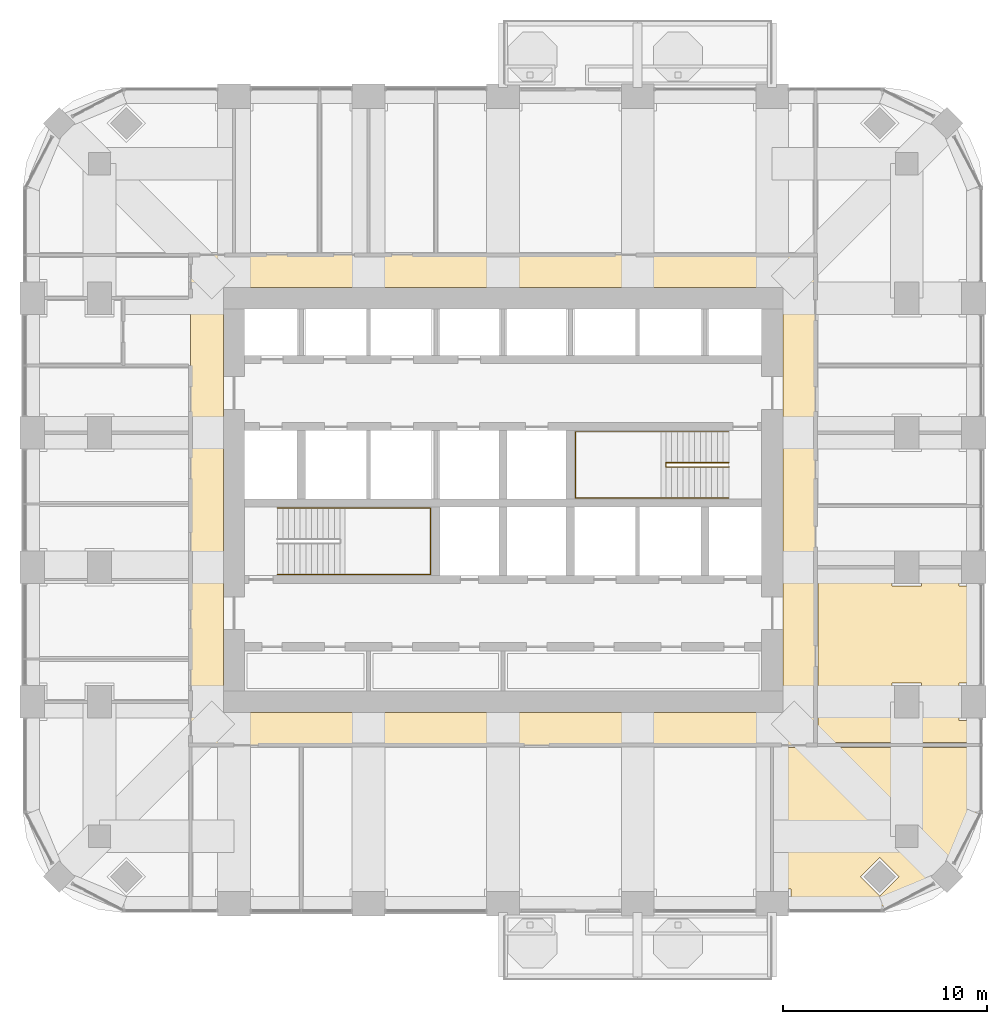
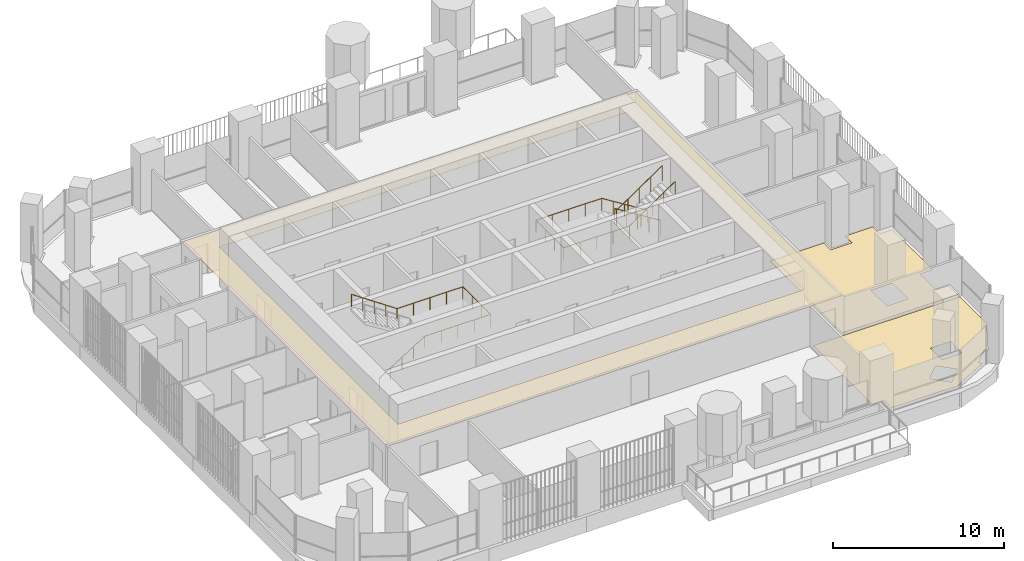
# One storey, part 17 of 19: 3 coverings, 3 railings.
"""IFC4 building model written with IfcOpenShell, lengths in metres."""

from ifc_helpers import new_model, si_unit, direction, frame, origin, place, context, subcontext, project, spatial, polyline, outline, extrude, material, layer, layer_set, type_object, element, save


model = new_model("IFC4")

# Units and contexts
model_context = context("Model", 3, precision=1e-05, world=origin(), true_north=direction((0.0, 1.0)))
body_context = subcontext(model_context, "Body", "Model", "MODEL_VIEW")
ifc_project = project(units=[si_unit("LENGTHUNIT", "METRE"), si_unit("AREAUNIT", "SQUARE_METRE"), si_unit("VOLUMEUNIT", "CUBIC_METRE"), si_unit("PLANEANGLEUNIT", "RADIAN"), si_unit("MASSUNIT", "GRAM", prefix="KILO")], contexts=[model_context])

# Site, building, storey
site_placement = place(None, origin())
site = spatial("IfcSite", under=ifc_project, at=site_placement, CompositionType="ELEMENT")
building_placement = place(site_placement, origin())
building = spatial("IfcBuilding", under=site, at=building_placement, Name="Cobogo Forest Laboratory Tower", CompositionType="ELEMENT")
storey_placement = place(building_placement, frame((0.0, 0.0, 206.10009765625)))
storey = spatial("IfcBuildingStorey", under=building, at=storey_placement, Name="L47", CompositionType="ELEMENT", Elevation=206.10009765625)

# Coverings
ifc_material_1 = material(Name="Mineral fibre ceiling tile", Category="ceiling")
ifc_layer_1 = layer(ifc_material_1, 0.02001953125)
ifc_layer_set_1 = layer_set([ifc_layer_1], Name="CL1 suspended ceiling")
covering_type_1 = type_object("IfcCoveringType", Name="CL1 suspended ceiling", PredefinedType="CEILING", material=ifc_layer_set_1)
covering_1_placement = place(storey_placement, frame((0.0, 0.0, 2.7998046875)))
element("IfcCovering", 1, at=covering_1_placement, inside=storey, type_object=covering_type_1, Name="Corridor ceiling L47", PredefinedType="CEILING", context=body_context, shape_type="SweptSolid", body=[
    extrude(outline(polyline([(11.074951171875, 11.074951171875), (11.074951171875, 35.125), (41.72509765625, 35.125), (41.72509765625, 11.074951171875), (11.074951171875, 11.074951171875)]), holes=[polyline([(40.125, 33.52490234375), (12.675048828125, 33.52490234375), (12.675048828125, 12.675048828125), (40.125, 12.675048828125), (40.125, 33.52490234375)])]), origin(), (0.0, 0.0, 1.0), 0.02001953125),
])
ifc_material_2 = material(Name="Carpet tile on raised access floor", Category="flooring")
ifc_layer_2 = layer(ifc_material_2, 0.008056640625)
ifc_layer_set_2 = layer_set([ifc_layer_2], Name="CT1 carpet tile floor 8")
covering_type_2 = type_object("IfcCoveringType", Name="CT1 carpet tile floor 8", PredefinedType="FLOORING", material=ifc_layer_set_2)
covering_2_placement = place(storey_placement, origin())
element("IfcCovering", 2, at=covering_2_placement, inside=storey, type_object=covering_type_2, Name="Carpet floor L47-04", PredefinedType="FLOORING", context=body_context, shape_type="SweptSolid", body=[
    extrude(outline(polyline([(41.844970703125, 19.679931640625), (45.47998046875, 19.679931640625), (45.47998046875, 18.8798828125), (46.919921875, 18.8798828125), (46.919921875, 19.679931640625), (48.780029296875, 19.679931640625), (48.780029296875, 18.8798828125), (49.64990234375, 18.8798828125), (49.64990234375, 14.1201171875), (48.780029296875, 14.1201171875), (48.780029296875, 12.280029296875), (49.64990234375, 12.280029296875), (49.64990234375, 11.195068359375), (41.844970703125, 11.195068359375), (41.844970703125, 19.679931640625)]), holes=[polyline([(46.919921875, 12.280029296875), (46.919921875, 14.1201171875), (45.47998046875, 14.1201171875), (45.47998046875, 12.280029296875), (46.919921875, 12.280029296875)])]), origin(), (0.0, 0.0, 1.0), 0.0078125),
])

# Railings
ifc_material_3 = material(Name="Steel balustrade", Category="steel")
railing_type_1 = type_object("IfcRailingType", Name="GR stair guard 1100", PredefinedType="GUARDRAIL", material=ifc_material_3)
railing_1_placement = place(storey_placement, frame((37.47509765625, 24.929931640625, 0.1748046875)))
element("IfcRailing", 3, at=railing_1_placement, inside=storey, type_object=railing_type_1, Name="Stair guard ST2 L47", PredefinedType="GUARDRAIL", context=body_context, shape_type="SweptSolid", body=[
    extrude(outline(polyline([(0.022216796875, 0.00927734375), (0.00927734375, 0.022216796875), (-0.00927734375, 0.022216796875), (-0.022216796875, 0.00927734375), (-0.022216796875, -0.00927734375), (-0.00927734375, -0.022216796875), (0.00927734375, -0.022216796875), (0.022216796875, -0.00927734375), (0.022216796875, 0.00927734375)])), frame((0.0, 0.0, 1.077880859375), z_axis=(-0.847998304005, 0.0, 0.529998940003), x_axis=(0.0, -1.0, 0.0)), (0.0, 0.0, 1.0), 3.632080078125),
    extrude(outline(polyline([(0.022216796875, 0.00927734375), (0.00927734375, 0.022216796875), (-0.00927734375, 0.022216796875), (-0.022216796875, 0.00927734375), (-0.022216796875, -0.00927734375), (-0.00927734375, -0.022216796875), (0.00927734375, -0.022216796875), (0.022216796875, -0.00927734375), (0.022216796875, 0.00927734375)])), frame((-3.080078125, 0.0, 3.0029296875), z_axis=(0.0, -1.0, 0.0), x_axis=(1.0, 0.0, 0.0)), (0.0, 0.0, 1.0), 0.2099609375),
    extrude(outline(polyline([(0.022216796875, 0.00927734375), (0.00927734375, 0.022216796875), (-0.00927734375, 0.022216796875), (-0.022216796875, 0.00927734375), (-0.022216796875, -0.00927734375), (-0.00927734375, -0.022216796875), (0.00927734375, -0.022216796875), (0.022216796875, -0.00927734375), (0.022216796875, 0.00927734375)])), frame((-3.080078125, -0.2099609375, 3.0029296875), z_axis=(0.826221800596, 0.0, 0.563344953133), x_axis=(0.0, 1.0, 0.0)), (0.0, 0.0, 1.0), 3.72802734375),
    extrude(outline(polyline([(0.019287109375, 0.008056640625), (0.008056640625, 0.019287109375), (-0.008056640625, 0.019287109375), (-0.019287109375, 0.008056640625), (-0.019287109375, -0.008056640625), (-0.008056640625, -0.019287109375), (0.008056640625, -0.019287109375), (0.019287109375, -0.008056640625), (0.019287109375, 0.008056640625)])), origin(), (0.0, 0.0, 1.0), 1.077880859375),
    extrude(outline(polyline([(0.019287109375, 0.008056640625), (0.008056640625, 0.019287109375), (-0.008056640625, 0.019287109375), (-0.019287109375, 0.008056640625), (-0.019287109375, -0.008056640625), (-0.008056640625, -0.019287109375), (0.008056640625, -0.019287109375), (0.019287109375, -0.008056640625), (0.019287109375, 0.008056640625)])), frame((-0.77001953125, 0.0, 0.481201171875)), (0.0, 0.0, 1.0), 1.077880859375),
    extrude(outline(polyline([(0.019287109375, 0.008056640625), (0.008056640625, 0.019287109375), (-0.008056640625, 0.019287109375), (-0.019287109375, 0.008056640625), (-0.019287109375, -0.008056640625), (-0.008056640625, -0.019287109375), (0.008056640625, -0.019287109375), (0.019287109375, -0.008056640625), (0.019287109375, 0.008056640625)])), frame((-1.5400390625, 0.0, 0.96240234375)), (0.0, 0.0, 1.0), 1.077880859375),
    extrude(outline(polyline([(0.019287109375, 0.008056640625), (0.008056640625, 0.019287109375), (-0.008056640625, 0.019287109375), (-0.019287109375, 0.008056640625), (-0.019287109375, -0.008056640625), (-0.008056640625, -0.019287109375), (0.008056640625, -0.019287109375), (0.019287109375, -0.008056640625), (0.019287109375, 0.008056640625)])), frame((-2.31005859375, 0.0, 1.44384765625)), (0.0, 0.0, 1.0), 1.077880859375),
    extrude(outline(polyline([(0.019287109375, 0.008056640625), (0.008056640625, 0.019287109375), (-0.008056640625, 0.019287109375), (-0.019287109375, 0.008056640625), (-0.019287109375, -0.008056640625), (-0.008056640625, -0.019287109375), (0.008056640625, -0.019287109375), (0.019287109375, -0.008056640625), (0.019287109375, 0.008056640625)])), frame((-3.080078125, 0.0, 1.925048828125)), (0.0, 0.0, 1.0), 1.077880859375),
    extrude(outline(polyline([(0.019287109375, 0.008056640625), (0.008056640625, 0.019287109375), (-0.008056640625, 0.019287109375), (-0.019287109375, 0.008056640625), (-0.019287109375, -0.008056640625), (-0.008056640625, -0.019287109375), (0.008056640625, -0.019287109375), (0.019287109375, -0.008056640625), (0.019287109375, 0.008056640625)])), frame((-3.080078125, -0.2099609375, 1.925048828125)), (0.0, 0.0, 1.0), 1.077880859375),
    extrude(outline(polyline([(0.019287109375, 0.008056640625), (0.008056640625, 0.019287109375), (-0.008056640625, 0.019287109375), (-0.019287109375, 0.008056640625), (-0.019287109375, -0.008056640625), (-0.008056640625, -0.019287109375), (0.008056640625, -0.019287109375), (0.019287109375, -0.008056640625), (0.019287109375, 0.008056640625)])), frame((-2.31005859375, -0.2099609375, 2.4501953125)), (0.0, 0.0, 1.0), 1.077880859375),
    extrude(outline(polyline([(0.019287109375, 0.008056640625), (0.008056640625, 0.019287109375), (-0.008056640625, 0.019287109375), (-0.019287109375, 0.008056640625), (-0.019287109375, -0.008056640625), (-0.008056640625, -0.019287109375), (0.008056640625, -0.019287109375), (0.019287109375, -0.008056640625), (0.019287109375, 0.008056640625)])), frame((-1.5400390625, -0.2099609375, 2.97509765625)), (0.0, 0.0, 1.0), 1.077880859375),
    extrude(outline(polyline([(0.019287109375, 0.008056640625), (0.008056640625, 0.019287109375), (-0.008056640625, 0.019287109375), (-0.019287109375, 0.008056640625), (-0.019287109375, -0.008056640625), (-0.008056640625, -0.019287109375), (0.008056640625, -0.019287109375), (0.019287109375, -0.008056640625), (0.019287109375, 0.008056640625)])), frame((-0.77001953125, -0.2099609375, 3.5)), (0.0, 0.0, 1.0), 1.077880859375),
    extrude(outline(polyline([(0.019287109375, 0.008056640625), (0.008056640625, 0.019287109375), (-0.008056640625, 0.019287109375), (-0.019287109375, 0.008056640625), (-0.019287109375, -0.008056640625), (-0.008056640625, -0.019287109375), (0.008056640625, -0.019287109375), (0.019287109375, -0.008056640625), (0.019287109375, 0.008056640625)])), frame((0.0, -0.2099609375, 4.025146484375)), (0.0, 0.0, 1.0), 1.077880859375),
])
ifc_material_4 = material(Name="Stainless steel handrail", Category="steel")
railing_type_2 = type_object("IfcRailingType", Name="HR handrail 900", PredefinedType="HANDRAIL", material=ifc_material_4)
railing_2_placement = place(storey_placement, frame((15.324951171875, 19.449951171875, 0.1748046875)))
element("IfcRailing", 4, at=railing_2_placement, inside=storey, type_object=railing_type_2, Name="Stair handrail ST1 L47", PredefinedType="HANDRAIL", context=body_context, shape_type="SweptSolid", body=[
    extrude(outline(polyline([(0.022216796875, 0.00927734375), (0.00927734375, 0.022216796875), (-0.00927734375, 0.022216796875), (-0.022216796875, 0.00927734375), (-0.022216796875, -0.00927734375), (-0.00927734375, -0.022216796875), (0.00927734375, -0.022216796875), (0.022216796875, -0.00927734375), (0.022216796875, 0.00927734375)])), frame((0.0, 0.0, 0.877685546875), z_axis=(0.847998304005, 0.0, 0.529998940003), x_axis=(0.0, 1.0, 0.0)), (0.0, 0.0, 1.0), 3.632080078125),
    extrude(outline(polyline([(0.022216796875, 0.00927734375), (0.00927734375, 0.022216796875), (-0.00927734375, 0.022216796875), (-0.022216796875, 0.00927734375), (-0.022216796875, -0.00927734375), (-0.00927734375, -0.022216796875), (0.00927734375, -0.022216796875), (0.022216796875, -0.00927734375), (0.022216796875, 0.00927734375)])), frame((3.080078125, 0.0, 2.802734375), z_axis=(1.0, 0.0, 0.0), x_axis=(0.0, 1.0, 0.0)), (0.0, 0.0, 1.0), 4.445068359375),
    extrude(outline(polyline([(0.022216796875, 0.00927734375), (0.00927734375, 0.022216796875), (-0.00927734375, 0.022216796875), (-0.022216796875, 0.00927734375), (-0.022216796875, -0.00927734375), (-0.00927734375, -0.022216796875), (0.00927734375, -0.022216796875), (0.022216796875, -0.00927734375), (0.022216796875, 0.00927734375)])), frame((7.525146484375, 0.0, 2.802734375), z_axis=(0.0, 1.0, 0.0), x_axis=(-1.0, 0.0, 0.0)), (0.0, 0.0, 1.0), 3.25),
    extrude(outline(polyline([(0.022216796875, 0.00927734375), (0.00927734375, 0.022216796875), (-0.00927734375, 0.022216796875), (-0.022216796875, 0.00927734375), (-0.022216796875, -0.00927734375), (-0.00927734375, -0.022216796875), (0.00927734375, -0.022216796875), (0.022216796875, -0.00927734375), (0.022216796875, 0.00927734375)])), frame((7.525146484375, 3.25, 2.802734375), z_axis=(-1.0, 0.0, 0.0), x_axis=(0.0, -1.0, 0.0)), (0.0, 0.0, 1.0), 4.445068359375),
    extrude(outline(polyline([(0.022216796875, 0.00927734375), (0.00927734375, 0.022216796875), (-0.00927734375, 0.022216796875), (-0.022216796875, 0.00927734375), (-0.022216796875, -0.00927734375), (-0.00927734375, -0.022216796875), (0.00927734375, -0.022216796875), (0.022216796875, -0.00927734375), (0.022216796875, 0.00927734375)])), frame((3.080078125, 3.25, 2.802734375), z_axis=(-0.826221800596, 0.0, 0.563344953133), x_axis=(0.0, -1.0, 0.0)), (0.0, 0.0, 1.0), 3.72802734375),
    extrude(outline(polyline([(0.019287109375, 0.008056640625), (0.008056640625, 0.019287109375), (-0.008056640625, 0.019287109375), (-0.019287109375, 0.008056640625), (-0.019287109375, -0.008056640625), (-0.008056640625, -0.019287109375), (0.008056640625, -0.019287109375), (0.019287109375, -0.008056640625), (0.019287109375, 0.008056640625)])), origin(), (0.0, 0.0, 1.0), 0.877685546875),
    extrude(outline(polyline([(0.019287109375, 0.008056640625), (0.008056640625, 0.019287109375), (-0.008056640625, 0.019287109375), (-0.019287109375, 0.008056640625), (-0.019287109375, -0.008056640625), (-0.008056640625, -0.019287109375), (0.008056640625, -0.019287109375), (0.019287109375, -0.008056640625), (0.019287109375, 0.008056640625)])), frame((0.77001953125, 0.0, 0.481201171875)), (0.0, 0.0, 1.0), 0.877685546875),
    extrude(outline(polyline([(0.019287109375, 0.008056640625), (0.008056640625, 0.019287109375), (-0.008056640625, 0.019287109375), (-0.019287109375, 0.008056640625), (-0.019287109375, -0.008056640625), (-0.008056640625, -0.019287109375), (0.008056640625, -0.019287109375), (0.019287109375, -0.008056640625), (0.019287109375, 0.008056640625)])), frame((1.5400390625, 0.0, 0.96240234375)), (0.0, 0.0, 1.0), 0.877685546875),
    extrude(outline(polyline([(0.019287109375, 0.008056640625), (0.008056640625, 0.019287109375), (-0.008056640625, 0.019287109375), (-0.019287109375, 0.008056640625), (-0.019287109375, -0.008056640625), (-0.008056640625, -0.019287109375), (0.008056640625, -0.019287109375), (0.019287109375, -0.008056640625), (0.019287109375, 0.008056640625)])), frame((2.31005859375, 0.0, 1.44384765625)), (0.0, 0.0, 1.0), 0.877685546875),
    extrude(outline(polyline([(0.019287109375, 0.008056640625), (0.008056640625, 0.019287109375), (-0.008056640625, 0.019287109375), (-0.019287109375, 0.008056640625), (-0.019287109375, -0.008056640625), (-0.008056640625, -0.019287109375), (0.008056640625, -0.019287109375), (0.019287109375, -0.008056640625), (0.019287109375, 0.008056640625)])), frame((3.080078125, 0.0, 1.925048828125)), (0.0, 0.0, 1.0), 0.877685546875),
    extrude(outline(polyline([(0.019287109375, 0.008056640625), (0.008056640625, 0.019287109375), (-0.008056640625, 0.019287109375), (-0.019287109375, 0.008056640625), (-0.019287109375, -0.008056640625), (-0.008056640625, -0.019287109375), (0.008056640625, -0.019287109375), (0.019287109375, -0.008056640625), (0.019287109375, 0.008056640625)])), frame((4.19140625, 0.0, 1.925048828125)), (0.0, 0.0, 1.0), 0.877685546875),
    extrude(outline(polyline([(0.019287109375, 0.008056640625), (0.008056640625, 0.019287109375), (-0.008056640625, 0.019287109375), (-0.019287109375, 0.008056640625), (-0.019287109375, -0.008056640625), (-0.008056640625, -0.019287109375), (0.008056640625, -0.019287109375), (0.019287109375, -0.008056640625), (0.019287109375, 0.008056640625)])), frame((5.302734375, 0.0, 1.925048828125)), (0.0, 0.0, 1.0), 0.877685546875),
    extrude(outline(polyline([(0.019287109375, 0.008056640625), (0.008056640625, 0.019287109375), (-0.008056640625, 0.019287109375), (-0.019287109375, 0.008056640625), (-0.019287109375, -0.008056640625), (-0.008056640625, -0.019287109375), (0.008056640625, -0.019287109375), (0.019287109375, -0.008056640625), (0.019287109375, 0.008056640625)])), frame((6.413818359375, 0.0, 1.925048828125)), (0.0, 0.0, 1.0), 0.877685546875),
    extrude(outline(polyline([(0.019287109375, 0.008056640625), (0.008056640625, 0.019287109375), (-0.008056640625, 0.019287109375), (-0.019287109375, 0.008056640625), (-0.019287109375, -0.008056640625), (-0.008056640625, -0.019287109375), (0.008056640625, -0.019287109375), (0.019287109375, -0.008056640625), (0.019287109375, 0.008056640625)])), frame((7.525146484375, 0.0, 1.925048828125)), (0.0, 0.0, 1.0), 0.877685546875),
    extrude(outline(polyline([(0.019287109375, 0.008056640625), (0.008056640625, 0.019287109375), (-0.008056640625, 0.019287109375), (-0.019287109375, 0.008056640625), (-0.019287109375, -0.008056640625), (-0.008056640625, -0.019287109375), (0.008056640625, -0.019287109375), (0.019287109375, -0.008056640625), (0.019287109375, 0.008056640625)])), frame((7.525146484375, 1.083251953125, 1.925048828125)), (0.0, 0.0, 1.0), 0.877685546875),
    extrude(outline(polyline([(0.019287109375, 0.008056640625), (0.008056640625, 0.019287109375), (-0.008056640625, 0.019287109375), (-0.019287109375, 0.008056640625), (-0.019287109375, -0.008056640625), (-0.008056640625, -0.019287109375), (0.008056640625, -0.019287109375), (0.019287109375, -0.008056640625), (0.019287109375, 0.008056640625)])), frame((7.525146484375, 2.166748046875, 1.925048828125)), (0.0, 0.0, 1.0), 0.877685546875),
    extrude(outline(polyline([(0.019287109375, 0.008056640625), (0.008056640625, 0.019287109375), (-0.008056640625, 0.019287109375), (-0.019287109375, 0.008056640625), (-0.019287109375, -0.008056640625), (-0.008056640625, -0.019287109375), (0.008056640625, -0.019287109375), (0.019287109375, -0.008056640625), (0.019287109375, 0.008056640625)])), frame((7.525146484375, 3.25, 1.925048828125)), (0.0, 0.0, 1.0), 0.877685546875),
    extrude(outline(polyline([(0.019287109375, 0.008056640625), (0.008056640625, 0.019287109375), (-0.008056640625, 0.019287109375), (-0.019287109375, 0.008056640625), (-0.019287109375, -0.008056640625), (-0.008056640625, -0.019287109375), (0.008056640625, -0.019287109375), (0.019287109375, -0.008056640625), (0.019287109375, 0.008056640625)])), frame((6.413818359375, 3.25, 1.925048828125)), (0.0, 0.0, 1.0), 0.877685546875),
    extrude(outline(polyline([(0.019287109375, 0.008056640625), (0.008056640625, 0.019287109375), (-0.008056640625, 0.019287109375), (-0.019287109375, 0.008056640625), (-0.019287109375, -0.008056640625), (-0.008056640625, -0.019287109375), (0.008056640625, -0.019287109375), (0.019287109375, -0.008056640625), (0.019287109375, 0.008056640625)])), frame((5.302734375, 3.25, 1.925048828125)), (0.0, 0.0, 1.0), 0.877685546875),
    extrude(outline(polyline([(0.019287109375, 0.008056640625), (0.008056640625, 0.019287109375), (-0.008056640625, 0.019287109375), (-0.019287109375, 0.008056640625), (-0.019287109375, -0.008056640625), (-0.008056640625, -0.019287109375), (0.008056640625, -0.019287109375), (0.019287109375, -0.008056640625), (0.019287109375, 0.008056640625)])), frame((4.19140625, 3.25, 1.925048828125)), (0.0, 0.0, 1.0), 0.877685546875),
    extrude(outline(polyline([(0.019287109375, 0.008056640625), (0.008056640625, 0.019287109375), (-0.008056640625, 0.019287109375), (-0.019287109375, 0.008056640625), (-0.019287109375, -0.008056640625), (-0.008056640625, -0.019287109375), (0.008056640625, -0.019287109375), (0.019287109375, -0.008056640625), (0.019287109375, 0.008056640625)])), frame((3.080078125, 3.25, 1.925048828125)), (0.0, 0.0, 1.0), 0.877685546875),
    extrude(outline(polyline([(0.019287109375, 0.008056640625), (0.008056640625, 0.019287109375), (-0.008056640625, 0.019287109375), (-0.019287109375, 0.008056640625), (-0.019287109375, -0.008056640625), (-0.008056640625, -0.019287109375), (0.008056640625, -0.019287109375), (0.019287109375, -0.008056640625), (0.019287109375, 0.008056640625)])), frame((2.31005859375, 3.25, 2.4501953125)), (0.0, 0.0, 1.0), 0.877685546875),
    extrude(outline(polyline([(0.019287109375, 0.008056640625), (0.008056640625, 0.019287109375), (-0.008056640625, 0.019287109375), (-0.019287109375, 0.008056640625), (-0.019287109375, -0.008056640625), (-0.008056640625, -0.019287109375), (0.008056640625, -0.019287109375), (0.019287109375, -0.008056640625), (0.019287109375, 0.008056640625)])), frame((1.5400390625, 3.25, 2.97509765625)), (0.0, 0.0, 1.0), 0.877685546875),
    extrude(outline(polyline([(0.019287109375, 0.008056640625), (0.008056640625, 0.019287109375), (-0.008056640625, 0.019287109375), (-0.019287109375, 0.008056640625), (-0.019287109375, -0.008056640625), (-0.008056640625, -0.019287109375), (0.008056640625, -0.019287109375), (0.019287109375, -0.008056640625), (0.019287109375, 0.008056640625)])), frame((0.77001953125, 3.25, 3.5)), (0.0, 0.0, 1.0), 0.877685546875),
    extrude(outline(polyline([(0.019287109375, 0.008056640625), (0.008056640625, 0.019287109375), (-0.008056640625, 0.019287109375), (-0.019287109375, 0.008056640625), (-0.019287109375, -0.008056640625), (-0.008056640625, -0.019287109375), (0.008056640625, -0.019287109375), (0.019287109375, -0.008056640625), (0.019287109375, 0.008056640625)])), frame((0.0, 3.25, 4.025146484375)), (0.0, 0.0, 1.0), 0.877685546875),
])
railing_3_placement = place(storey_placement, frame((37.47509765625, 26.449951171875, 0.1748046875)))
element("IfcRailing", 5, at=railing_3_placement, inside=storey, type_object=railing_type_2, Name="Stair handrail ST2 L47", PredefinedType="HANDRAIL", context=body_context, shape_type="SweptSolid", body=[
    extrude(outline(polyline([(0.022216796875, 0.00927734375), (0.00927734375, 0.022216796875), (-0.00927734375, 0.022216796875), (-0.022216796875, 0.00927734375), (-0.022216796875, -0.00927734375), (-0.00927734375, -0.022216796875), (0.00927734375, -0.022216796875), (0.022216796875, -0.00927734375), (0.022216796875, 0.00927734375)])), frame((0.0, 0.0, 0.877685546875), z_axis=(-0.847998304005, 0.0, 0.529998940003), x_axis=(0.0, -1.0, 0.0)), (0.0, 0.0, 1.0), 3.632080078125),
    extrude(outline(polyline([(0.022216796875, 0.00927734375), (0.00927734375, 0.022216796875), (-0.00927734375, 0.022216796875), (-0.022216796875, 0.00927734375), (-0.022216796875, -0.00927734375), (-0.00927734375, -0.022216796875), (0.00927734375, -0.022216796875), (0.022216796875, -0.00927734375), (0.022216796875, 0.00927734375)])), frame((-3.080078125, 0.0, 2.802734375), z_axis=(-1.0, 0.0, 0.0), x_axis=(0.0, -1.0, 0.0)), (0.0, 0.0, 1.0), 4.445068359375),
    extrude(outline(polyline([(0.022216796875, 0.00927734375), (0.00927734375, 0.022216796875), (-0.00927734375, 0.022216796875), (-0.022216796875, 0.00927734375), (-0.022216796875, -0.00927734375), (-0.00927734375, -0.022216796875), (0.00927734375, -0.022216796875), (0.022216796875, -0.00927734375), (0.022216796875, 0.00927734375)])), frame((-7.525146484375, 0.0, 2.802734375), z_axis=(0.0, -1.0, 0.0), x_axis=(1.0, 0.0, 0.0)), (0.0, 0.0, 1.0), 3.25),
    extrude(outline(polyline([(0.022216796875, 0.00927734375), (0.00927734375, 0.022216796875), (-0.00927734375, 0.022216796875), (-0.022216796875, 0.00927734375), (-0.022216796875, -0.00927734375), (-0.00927734375, -0.022216796875), (0.00927734375, -0.022216796875), (0.022216796875, -0.00927734375), (0.022216796875, 0.00927734375)])), frame((-7.525146484375, -3.25, 2.802734375), z_axis=(1.0, 0.0, 0.0), x_axis=(0.0, 1.0, 0.0)), (0.0, 0.0, 1.0), 4.445068359375),
    extrude(outline(polyline([(0.022216796875, 0.00927734375), (0.00927734375, 0.022216796875), (-0.00927734375, 0.022216796875), (-0.022216796875, 0.00927734375), (-0.022216796875, -0.00927734375), (-0.00927734375, -0.022216796875), (0.00927734375, -0.022216796875), (0.022216796875, -0.00927734375), (0.022216796875, 0.00927734375)])), frame((-3.080078125, -3.25, 2.802734375), z_axis=(0.826221800596, 0.0, 0.563344953133), x_axis=(0.0, 1.0, 0.0)), (0.0, 0.0, 1.0), 3.72802734375),
    extrude(outline(polyline([(0.019287109375, 0.008056640625), (0.008056640625, 0.019287109375), (-0.008056640625, 0.019287109375), (-0.019287109375, 0.008056640625), (-0.019287109375, -0.008056640625), (-0.008056640625, -0.019287109375), (0.008056640625, -0.019287109375), (0.019287109375, -0.008056640625), (0.019287109375, 0.008056640625)])), origin(), (0.0, 0.0, 1.0), 0.877685546875),
    extrude(outline(polyline([(0.019287109375, 0.008056640625), (0.008056640625, 0.019287109375), (-0.008056640625, 0.019287109375), (-0.019287109375, 0.008056640625), (-0.019287109375, -0.008056640625), (-0.008056640625, -0.019287109375), (0.008056640625, -0.019287109375), (0.019287109375, -0.008056640625), (0.019287109375, 0.008056640625)])), frame((-0.77001953125, 0.0, 0.481201171875)), (0.0, 0.0, 1.0), 0.877685546875),
    extrude(outline(polyline([(0.019287109375, 0.008056640625), (0.008056640625, 0.019287109375), (-0.008056640625, 0.019287109375), (-0.019287109375, 0.008056640625), (-0.019287109375, -0.008056640625), (-0.008056640625, -0.019287109375), (0.008056640625, -0.019287109375), (0.019287109375, -0.008056640625), (0.019287109375, 0.008056640625)])), frame((-1.5400390625, 0.0, 0.96240234375)), (0.0, 0.0, 1.0), 0.877685546875),
    extrude(outline(polyline([(0.019287109375, 0.008056640625), (0.008056640625, 0.019287109375), (-0.008056640625, 0.019287109375), (-0.019287109375, 0.008056640625), (-0.019287109375, -0.008056640625), (-0.008056640625, -0.019287109375), (0.008056640625, -0.019287109375), (0.019287109375, -0.008056640625), (0.019287109375, 0.008056640625)])), frame((-2.31005859375, 0.0, 1.44384765625)), (0.0, 0.0, 1.0), 0.877685546875),
    extrude(outline(polyline([(0.019287109375, 0.008056640625), (0.008056640625, 0.019287109375), (-0.008056640625, 0.019287109375), (-0.019287109375, 0.008056640625), (-0.019287109375, -0.008056640625), (-0.008056640625, -0.019287109375), (0.008056640625, -0.019287109375), (0.019287109375, -0.008056640625), (0.019287109375, 0.008056640625)])), frame((-3.080078125, 0.0, 1.925048828125)), (0.0, 0.0, 1.0), 0.877685546875),
    extrude(outline(polyline([(0.019287109375, 0.008056640625), (0.008056640625, 0.019287109375), (-0.008056640625, 0.019287109375), (-0.019287109375, 0.008056640625), (-0.019287109375, -0.008056640625), (-0.008056640625, -0.019287109375), (0.008056640625, -0.019287109375), (0.019287109375, -0.008056640625), (0.019287109375, 0.008056640625)])), frame((-4.19140625, 0.0, 1.925048828125)), (0.0, 0.0, 1.0), 0.877685546875),
    extrude(outline(polyline([(0.019287109375, 0.008056640625), (0.008056640625, 0.019287109375), (-0.008056640625, 0.019287109375), (-0.019287109375, 0.008056640625), (-0.019287109375, -0.008056640625), (-0.008056640625, -0.019287109375), (0.008056640625, -0.019287109375), (0.019287109375, -0.008056640625), (0.019287109375, 0.008056640625)])), frame((-5.302734375, 0.0, 1.925048828125)), (0.0, 0.0, 1.0), 0.877685546875),
    extrude(outline(polyline([(0.019287109375, 0.008056640625), (0.008056640625, 0.019287109375), (-0.008056640625, 0.019287109375), (-0.019287109375, 0.008056640625), (-0.019287109375, -0.008056640625), (-0.008056640625, -0.019287109375), (0.008056640625, -0.019287109375), (0.019287109375, -0.008056640625), (0.019287109375, 0.008056640625)])), frame((-6.413818359375, 0.0, 1.925048828125)), (0.0, 0.0, 1.0), 0.877685546875),
    extrude(outline(polyline([(0.019287109375, 0.008056640625), (0.008056640625, 0.019287109375), (-0.008056640625, 0.019287109375), (-0.019287109375, 0.008056640625), (-0.019287109375, -0.008056640625), (-0.008056640625, -0.019287109375), (0.008056640625, -0.019287109375), (0.019287109375, -0.008056640625), (0.019287109375, 0.008056640625)])), frame((-7.525146484375, 0.0, 1.925048828125)), (0.0, 0.0, 1.0), 0.877685546875),
    extrude(outline(polyline([(0.019287109375, 0.008056640625), (0.008056640625, 0.019287109375), (-0.008056640625, 0.019287109375), (-0.019287109375, 0.008056640625), (-0.019287109375, -0.008056640625), (-0.008056640625, -0.019287109375), (0.008056640625, -0.019287109375), (0.019287109375, -0.008056640625), (0.019287109375, 0.008056640625)])), frame((-7.525146484375, -1.083251953125, 1.925048828125)), (0.0, 0.0, 1.0), 0.877685546875),
    extrude(outline(polyline([(0.019287109375, 0.008056640625), (0.008056640625, 0.019287109375), (-0.008056640625, 0.019287109375), (-0.019287109375, 0.008056640625), (-0.019287109375, -0.008056640625), (-0.008056640625, -0.019287109375), (0.008056640625, -0.019287109375), (0.019287109375, -0.008056640625), (0.019287109375, 0.008056640625)])), frame((-7.525146484375, -2.166748046875, 1.925048828125)), (0.0, 0.0, 1.0), 0.877685546875),
    extrude(outline(polyline([(0.019287109375, 0.008056640625), (0.008056640625, 0.019287109375), (-0.008056640625, 0.019287109375), (-0.019287109375, 0.008056640625), (-0.019287109375, -0.008056640625), (-0.008056640625, -0.019287109375), (0.008056640625, -0.019287109375), (0.019287109375, -0.008056640625), (0.019287109375, 0.008056640625)])), frame((-7.525146484375, -3.25, 1.925048828125)), (0.0, 0.0, 1.0), 0.877685546875),
    extrude(outline(polyline([(0.019287109375, 0.008056640625), (0.008056640625, 0.019287109375), (-0.008056640625, 0.019287109375), (-0.019287109375, 0.008056640625), (-0.019287109375, -0.008056640625), (-0.008056640625, -0.019287109375), (0.008056640625, -0.019287109375), (0.019287109375, -0.008056640625), (0.019287109375, 0.008056640625)])), frame((-6.413818359375, -3.25, 1.925048828125)), (0.0, 0.0, 1.0), 0.877685546875),
    extrude(outline(polyline([(0.019287109375, 0.008056640625), (0.008056640625, 0.019287109375), (-0.008056640625, 0.019287109375), (-0.019287109375, 0.008056640625), (-0.019287109375, -0.008056640625), (-0.008056640625, -0.019287109375), (0.008056640625, -0.019287109375), (0.019287109375, -0.008056640625), (0.019287109375, 0.008056640625)])), frame((-5.302734375, -3.25, 1.925048828125)), (0.0, 0.0, 1.0), 0.877685546875),
    extrude(outline(polyline([(0.019287109375, 0.008056640625), (0.008056640625, 0.019287109375), (-0.008056640625, 0.019287109375), (-0.019287109375, 0.008056640625), (-0.019287109375, -0.008056640625), (-0.008056640625, -0.019287109375), (0.008056640625, -0.019287109375), (0.019287109375, -0.008056640625), (0.019287109375, 0.008056640625)])), frame((-4.19140625, -3.25, 1.925048828125)), (0.0, 0.0, 1.0), 0.877685546875),
    extrude(outline(polyline([(0.019287109375, 0.008056640625), (0.008056640625, 0.019287109375), (-0.008056640625, 0.019287109375), (-0.019287109375, 0.008056640625), (-0.019287109375, -0.008056640625), (-0.008056640625, -0.019287109375), (0.008056640625, -0.019287109375), (0.019287109375, -0.008056640625), (0.019287109375, 0.008056640625)])), frame((-3.080078125, -3.25, 1.925048828125)), (0.0, 0.0, 1.0), 0.877685546875),
    extrude(outline(polyline([(0.019287109375, 0.008056640625), (0.008056640625, 0.019287109375), (-0.008056640625, 0.019287109375), (-0.019287109375, 0.008056640625), (-0.019287109375, -0.008056640625), (-0.008056640625, -0.019287109375), (0.008056640625, -0.019287109375), (0.019287109375, -0.008056640625), (0.019287109375, 0.008056640625)])), frame((-2.31005859375, -3.25, 2.4501953125)), (0.0, 0.0, 1.0), 0.877685546875),
    extrude(outline(polyline([(0.019287109375, 0.008056640625), (0.008056640625, 0.019287109375), (-0.008056640625, 0.019287109375), (-0.019287109375, 0.008056640625), (-0.019287109375, -0.008056640625), (-0.008056640625, -0.019287109375), (0.008056640625, -0.019287109375), (0.019287109375, -0.008056640625), (0.019287109375, 0.008056640625)])), frame((-1.5400390625, -3.25, 2.97509765625)), (0.0, 0.0, 1.0), 0.877685546875),
    extrude(outline(polyline([(0.019287109375, 0.008056640625), (0.008056640625, 0.019287109375), (-0.008056640625, 0.019287109375), (-0.019287109375, 0.008056640625), (-0.019287109375, -0.008056640625), (-0.008056640625, -0.019287109375), (0.008056640625, -0.019287109375), (0.019287109375, -0.008056640625), (0.019287109375, 0.008056640625)])), frame((-0.77001953125, -3.25, 3.5)), (0.0, 0.0, 1.0), 0.877685546875),
    extrude(outline(polyline([(0.019287109375, 0.008056640625), (0.008056640625, 0.019287109375), (-0.008056640625, 0.019287109375), (-0.019287109375, 0.008056640625), (-0.019287109375, -0.008056640625), (-0.008056640625, -0.019287109375), (0.008056640625, -0.019287109375), (0.019287109375, -0.008056640625), (0.019287109375, 0.008056640625)])), frame((0.0, -3.25, 4.025146484375)), (0.0, 0.0, 1.0), 0.877685546875),
])

# Covering
ifc_material_5 = material(Name="Static-dissipative vinyl flooring", Category="flooring")
ifc_layer_3 = layer(ifc_material_5, 0.0029296875)
ifc_layer_set_3 = layer_set([ifc_layer_3], Name="SD1 static-dissipative vinyl floor 3")
covering_type_3 = type_object("IfcCoveringType", Name="SD1 static-dissipative vinyl floor 3", PredefinedType="FLOORING", material=ifc_layer_set_3)
covering_3_placement = place(storey_placement, origin())
element("IfcCovering", 6, at=covering_3_placement, inside=storey, type_object=covering_type_3, Name="Static-dissipative floor L47-03", PredefinedType="FLOORING", context=body_context, shape_type="SweptSolid", body=[
    extrude(outline(polyline([(49.64990234375, 10.955078125), (49.64990234375, 7.84912109375), (48.359619140625, 5.387939453125), (48.181884765625, 5.5654296875), (47.234375, 4.617919921875), (47.412109375, 4.440185546875), (44.95068359375, 3.14990234375), (40.52001953125, 3.14990234375), (40.52001953125, 4.02001953125), (39.719970703125, 4.02001953125), (39.719970703125, 10.955078125), (49.64990234375, 10.955078125)]), holes=[polyline([(45.530029296875, 5.929931640625), (46.8701171875, 5.929931640625), (46.8701171875, 7.27001953125), (45.530029296875, 7.27001953125), (45.530029296875, 5.929931640625)]), polyline([(44.882080078125, 3.67041015625), (45.82958984375, 4.617919921875), (44.882080078125, 5.5654296875), (43.9345703125, 4.617919921875), (44.882080078125, 3.67041015625)])]), origin(), (0.0, 0.0, 1.0), 0.0029296875),
])

save(model, "model.ifc")
